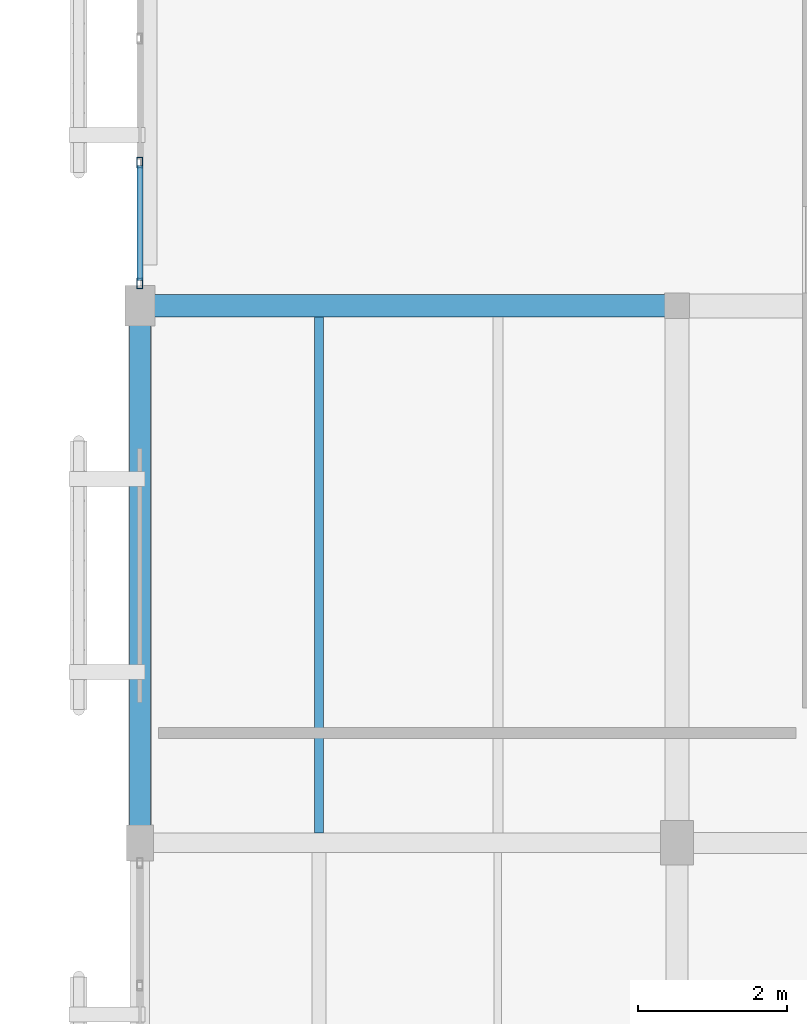
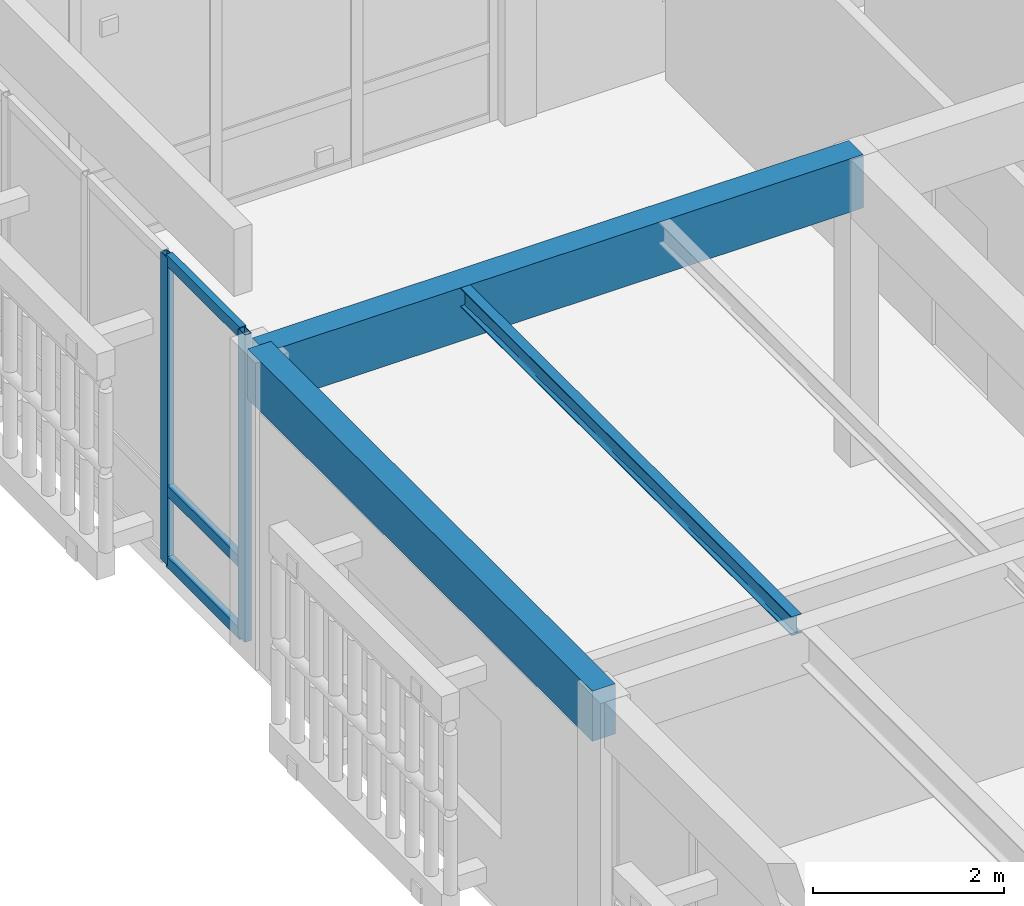
# One storey, part 132 of 217: 5 members, 3 beams, 1 element without a shape of its own.
"""IFC4 building model written with IfcOpenShell, lengths in metres."""

from ifc_helpers import new_model, si_unit, direction, frame, origin, origin_2d, place, context, subcontext, project, spatial, rectangle, hollow_rectangle, i_section, extrude, material, layer, layer_set, material_profile, profile_set, type_object, element, aggregate, save


model = new_model("IFC4")

# Units and contexts
model_context = context("Model", 3, precision=1e-05, world=origin(), true_north=direction((0.0, 1.0)))
body_context = subcontext(model_context, "Body", "Model", "MODEL_VIEW")
ifc_project = project(units=[si_unit("LENGTHUNIT", "METRE"), si_unit("AREAUNIT", "SQUARE_METRE"), si_unit("VOLUMEUNIT", "CUBIC_METRE"), si_unit("PLANEANGLEUNIT", "RADIAN"), si_unit("MASSUNIT", "GRAM", prefix="KILO")], contexts=[model_context])

# Site, building, storey
site_placement = place(None, origin())
site = spatial("IfcSite", under=ifc_project, at=site_placement, CompositionType="ELEMENT")
building_placement = place(site_placement, origin())
building = spatial("IfcBuilding", under=site, at=building_placement, Name="Mazaris Harbour Polytechnic", CompositionType="ELEMENT")
storey_placement = place(building_placement, frame((0.0, 0.0, 9.60009765625)))
storey = spatial("IfcBuildingStorey", under=building, at=storey_placement, Name="L02", CompositionType="ELEMENT", Elevation=9.60009765625)

# Curtain wall, members
ifc_material_1 = material(Name="Anodised Bronze Aluminium and Low-E Glass", Category="aluminium")
ifc_layer = layer(ifc_material_1, 0.169921875, Name="Anodised Bronze Aluminium and Low-E Glass")
ifc_layer_set = layer_set([ifc_layer], Name="Anodised Bronze Aluminium and Low-E Glass")
curtain_wall_type = type_object("IfcCurtainWallType", Name="Studio North-Light Curtain Wall", PredefinedType="NOTDEFINED", material=ifc_layer_set)
curtain_wall_placement = place(storey_placement, origin())
curtain_wall = element("IfcCurtainWall", 1, at=curtain_wall_placement, inside=storey, type_object=curtain_wall_type, Name="V5 L02 Curtain Wall 234", PredefinedType="NOTDEFINED")
ifc_material_2 = material(Name="Anodised Bronze Steel S355", Category="steel")
ifc_material_profile_1 = material_profile(ifc_material_2, hollow_rectangle(XDim=0.080078125, YDim=0.139892578125, WallThickness=0.00634765625, at=origin_2d()), Name="RHS 80x140x6.3")
ifc_profile_set_1 = profile_set([ifc_material_profile_1], Name="Anodised Bronze Steel S355")
member_type_1 = type_object("IfcMemberType", Name="Curtain Mullion RHS80x140", PredefinedType="MULLION", material=ifc_profile_set_1)
member_1_placement = place(storey_placement, frame((122.39990234375, 101.10205078125, 0.0), z_axis=(0.0, 0.0, 1.0), x_axis=(-1.0, 0.0, 0.0)))
member_1 = element("IfcMember", 2, at=member_1_placement, type_object=member_type_1, Name="CW-03 mullion 1", PredefinedType="MULLION", context=body_context, shape_type="SweptSolid", body=[
    extrude(hollow_rectangle(XDim=0.080078125, YDim=0.139892578125, WallThickness=0.00634765625, at=origin_2d()), origin(), (0.0, 0.0, 1.0), 3.919921875),
])
member_2_placement = place(storey_placement, frame((122.39990234375, 102.723388671875, 0.0), z_axis=(0.0, 0.0, 1.0), x_axis=(-1.0, 0.0, 0.0)))
member_2 = element("IfcMember", 3, at=member_2_placement, type_object=member_type_1, Name="CW-03 mullion 2", PredefinedType="MULLION", context=body_context, shape_type="SweptSolid", body=[
    extrude(hollow_rectangle(XDim=0.080078125, YDim=0.139892578125, WallThickness=0.00634765625, at=origin_2d()), origin(), (0.0, 0.0, 1.0), 3.919921875),
])
ifc_material_3 = material(Name="Anodised Bronze Steel S355", Category="steel")
ifc_material_profile_2 = material_profile(ifc_material_3, hollow_rectangle(XDim=0.080078125, YDim=0.139892578125, WallThickness=0.00634765625, at=origin_2d()), Name="RHS 80x140x6.3")
ifc_profile_set_2 = profile_set([ifc_material_profile_2], Name="Anodised Bronze Steel S355")
member_type_2 = type_object("IfcMemberType", Name="Curtain Transom RHS80x140", PredefinedType="USERDEFINED", material=ifc_profile_set_2)
member_3_placement = place(storey_placement, frame((122.39990234375, 101.14208984375, 0.039794921875), z_axis=(0.0, 1.0, 0.0), x_axis=(-1.0, 0.0, 0.0)))
member_3 = element("IfcMember", 4, at=member_3_placement, type_object=member_type_2, Name="CW-03 transom 1.1", ObjectType="TRANSOM", PredefinedType="USERDEFINED", context=body_context, shape_type="SweptSolid", body=[
    extrude(hollow_rectangle(XDim=0.080078125, YDim=0.139892578125, WallThickness=0.00634765625, at=origin_2d()), origin(), (0.0, 0.0, 1.0), 1.54150390625),
])
member_4_placement = place(storey_placement, frame((122.39990234375, 101.14208984375, 0.949951171875), z_axis=(0.0, 1.0, 0.0), x_axis=(-1.0, 0.0, 0.0)))
member_4 = element("IfcMember", 5, at=member_4_placement, type_object=member_type_2, Name="CW-03 transom 1.2", ObjectType="TRANSOM", PredefinedType="USERDEFINED", context=body_context, shape_type="SweptSolid", body=[
    extrude(hollow_rectangle(XDim=0.080078125, YDim=0.139892578125, WallThickness=0.00634765625, at=origin_2d()), origin(), (0.0, 0.0, 1.0), 1.54150390625),
])
member_5_placement = place(storey_placement, frame((122.39990234375, 101.14208984375, 3.8798828125), z_axis=(0.0, 1.0, 0.0), x_axis=(-1.0, 0.0, 0.0)))
member_5 = element("IfcMember", 6, at=member_5_placement, type_object=member_type_2, Name="CW-03 transom 1.3", ObjectType="TRANSOM", PredefinedType="USERDEFINED", context=body_context, shape_type="SweptSolid", body=[
    extrude(hollow_rectangle(XDim=0.080078125, YDim=0.139892578125, WallThickness=0.00634765625, at=origin_2d()), origin(), (0.0, 0.0, 1.0), 1.54150390625),
])
aggregate(curtain_wall, [member_1, member_2, member_3, member_4, member_5])

# Beams
ifc_material_4 = material(Name="Glulam GL32h", Category="wood")
ifc_material_profile_3 = material_profile(ifc_material_4, rectangle(XDim=0.280029296875, YDim=0.639892578125, at=origin_2d()), Name="RECT280x640")
ifc_profile_set_3 = profile_set([ifc_material_profile_3], Name="Glulam GL32h")
beam_type_1 = type_object("IfcBeamType", Name="Glulam Girder 280x640 Exterior", PredefinedType="BEAM", material=ifc_profile_set_3)
beam_1_placement = place(storey_placement, frame((122.39990234375, 93.60009765625, 3.599853515625), z_axis=(0.0, 1.0, 0.0), x_axis=(-1.0, 0.0, 0.0)))
element("IfcBeam", 7, at=beam_1_placement, inside=storey, type_object=beam_type_1, Name="V5 L02 Tie Girder 3177", PredefinedType="BEAM", context=body_context, shape_type="SweptSolid", body=[
    extrude(rectangle(XDim=0.280029296875, YDim=0.639892578125, at=origin_2d()), origin(), (0.0, 0.0, 1.0), 7.199951171875),
])
ifc_material_5 = material(Name="Glulam GL32h", Category="wood")
ifc_material_profile_4 = material_profile(ifc_material_5, rectangle(XDim=0.300048828125, YDim=0.679931640625, at=origin_2d()), Name="RECT300x680")
ifc_profile_set_4 = profile_set([ifc_material_profile_4], Name="Glulam GL32h")
beam_type_2 = type_object("IfcBeamType", Name="Glulam Girder 300x680 Exterior", PredefinedType="BEAM", material=ifc_profile_set_4)
beam_2_placement = place(storey_placement, frame((122.39990234375, 100.800048828125, 3.579833984375), z_axis=(1.0, 0.0, 0.0), x_axis=(0.0, 1.0, 0.0)))
element("IfcBeam", 8, at=beam_2_placement, inside=storey, type_object=beam_type_2, Name="V5 L02 Girder 3163", PredefinedType="BEAM", context=body_context, shape_type="SweptSolid", body=[
    extrude(rectangle(XDim=0.300048828125, YDim=0.679931640625, at=origin_2d()), origin(), (0.0, 0.0, 1.0), 7.2001953125),
])
ifc_material_6 = material(Name="Steel S355", Category="steel")
ifc_material_profile_5 = material_profile(ifc_material_6, i_section(OverallWidth=0.1201171875, OverallDepth=0.239990234375, WebThickness=0.006103515625, FlangeThickness=0.009765625, FilletRadius=0.014892578125, at=origin_2d()), Name="IPE 240")
ifc_profile_set_5 = profile_set([ifc_material_profile_5], Name="Steel S355")
beam_type_3 = type_object("IfcBeamType", Name="Steel Joist IPE240", PredefinedType="JOIST", material=ifc_profile_set_5)
beam_3_placement = place(storey_placement, frame((124.800048828125, 93.72998046875, 3.7998046875), z_axis=(0.0, 1.0, 0.0), x_axis=(-1.0, 0.0, 0.0)))
element("IfcBeam", 9, at=beam_3_placement, inside=storey, type_object=beam_type_3, Name="V5 L02 Floor Joist 3235", PredefinedType="JOIST", context=body_context, shape_type="SweptSolid", body=[
    extrude(i_section(OverallWidth=0.1201171875, OverallDepth=0.239990234375, WebThickness=0.006103515625, FlangeThickness=0.009765625, FilletRadius=0.014892578125, at=origin_2d()), origin(), (0.0, 0.0, 1.0), 6.919921875),
])

save(model, "model.ifc")
